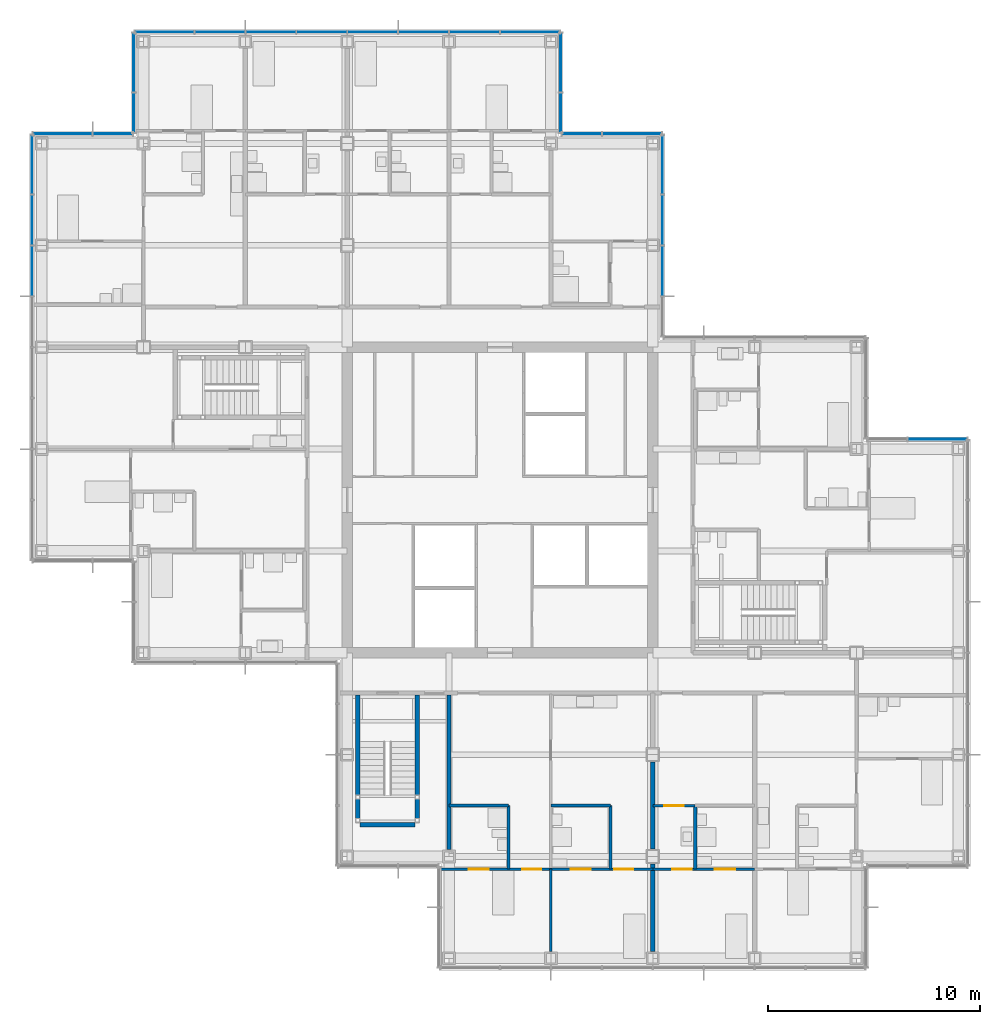
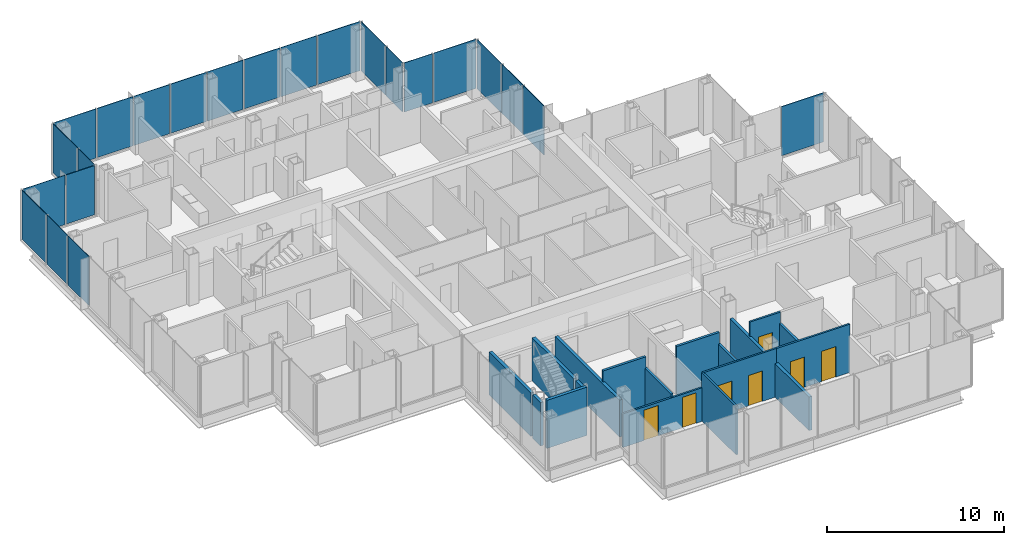
# One storey, part 12 of 20: 23 plates, 18 walls, 7 doors, 7 openings, 8 elements without a shape of their own.
"""IFC4 building model written with IfcOpenShell, lengths in metres."""

from ifc_helpers import new_model, si_unit, direction, frame, frame_2d, origin, origin_2d, place, context, subcontext, project, spatial, rectangle, extrude, material, layer, layer_set, type_object, element, fill, aggregate, save


model = new_model("IFC4")

# Units and contexts
model_context = context("Model", 3, precision=1e-05, world=origin(), true_north=direction((0.0, 1.0)))
body_context = subcontext(model_context, "Body", "Model", "MODEL_VIEW")
ifc_project = project(units=[si_unit("LENGTHUNIT", "METRE"), si_unit("AREAUNIT", "SQUARE_METRE"), si_unit("VOLUMEUNIT", "CUBIC_METRE"), si_unit("PLANEANGLEUNIT", "RADIAN"), si_unit("MASSUNIT", "GRAM", prefix="KILO")], contexts=[model_context])

# Site, building, storey
site_placement = place(None, origin())
site = spatial("IfcSite", under=ifc_project, at=site_placement, CompositionType="ELEMENT")
building_placement = place(site_placement, origin())
building = spatial("IfcBuilding", under=site, at=building_placement, Name="Kvirike Care Tower", CompositionType="ELEMENT")
storey_placement = place(building_placement, frame((0.0, 0.0, 119.0)))
storey = spatial("IfcBuildingStorey", under=building, at=storey_placement, Name="L32", CompositionType="ELEMENT", Elevation=119.0)

# Curtain wall, plate
ifc_material_1 = material(Name="Anodised aluminium stick system", Category="aluminium")
curtain_wall_type = type_object("IfcCurtainWallType", Name="CW-B STICK CURTAIN WALL", PredefinedType="NOTDEFINED", material=ifc_material_1)
curtain_wall_1_placement = place(storey_placement, origin())
curtain_wall_1 = element("IfcCurtainWall", 1, at=curtain_wall_1_placement, inside=storey, type_object=curtain_wall_type, Name="Curtain wall L32 face 2", PredefinedType="NOTDEFINED")
ifc_material_2 = material(Name="Tinted double glazed unit", Category="glass")
ifc_layer_1 = layer(ifc_material_2, 0.035888671875)
ifc_layer_set_1 = layer_set([ifc_layer_1], Name="TINTED VISION PANEL 36")
plate_type = type_object("IfcPlateType", Name="TINTED VISION PANEL 36", PredefinedType="CURTAIN_PANEL", material=ifc_layer_set_1)
plate_1_placement = place(storey_placement, frame((42.2138671875, 38.860107421875, 0.10009765625), z_axis=(0.0, 0.0, 1.0), x_axis=(-1.0, 0.0, 0.0)))
plate_1 = element("IfcPlate", 2, at=plate_1_placement, type_object=plate_type, Name="CW-B panel L32 face 2.1", PredefinedType="CURTAIN_PANEL", context=body_context, shape_type="SweptSolid", body=[
    extrude(rectangle(XDim=2.762451171875, YDim=0.035888671875, at=origin_2d()), origin(), (0.0, 0.0, 1.0), 3.39990234375),
])
aggregate(curtain_wall_1, [plate_1])

# Curtain wall, plates
curtain_wall_2_placement = place(storey_placement, origin())
curtain_wall_2 = element("IfcCurtainWall", 3, at=curtain_wall_2_placement, inside=storey, type_object=curtain_wall_type, Name="Curtain wall L32 face 5", PredefinedType="NOTDEFINED")
plate_2_placement = place(storey_placement, frame((29.260009765625, 46.800048828125, 0.10009765625), z_axis=(0.0, 0.0, 1.0), x_axis=(0.0, 1.0, 0.0)))
plate_2 = element("IfcPlate", 4, at=plate_2_placement, type_object=plate_type, Name="CW-B panel L32 face 5.2", PredefinedType="CURTAIN_PANEL", context=body_context, shape_type="SweptSolid", body=[
    extrude(rectangle(XDim=2.3349609375, YDim=0.035888671875, at=origin_2d()), origin(), (0.0, 0.0, 1.0), 3.39990234375),
])
plate_3_placement = place(storey_placement, frame((29.260009765625, 49.199951171875, 0.10009765625), z_axis=(0.0, 0.0, 1.0), x_axis=(0.0, 1.0, 0.0)))
plate_3 = element("IfcPlate", 5, at=plate_3_placement, type_object=plate_type, Name="CW-B panel L32 face 5.3", PredefinedType="CURTAIN_PANEL", context=body_context, shape_type="SweptSolid", body=[
    extrude(rectangle(XDim=2.3349609375, YDim=0.035888671875, at=origin_2d()), origin(), (0.0, 0.0, 1.0), 3.39990234375),
])
plate_4_placement = place(storey_placement, frame((29.260009765625, 51.813720703125, 0.10009765625), z_axis=(0.0, 0.0, 1.0), x_axis=(0.0, 1.0, 0.0)))
plate_4 = element("IfcPlate", 6, at=plate_4_placement, type_object=plate_type, Name="CW-B panel L32 face 5.4", PredefinedType="CURTAIN_PANEL", context=body_context, shape_type="SweptSolid", body=[
    extrude(rectangle(XDim=2.762451171875, YDim=0.035888671875, at=origin_2d()), origin(), (0.0, 0.0, 1.0), 3.39990234375),
])
aggregate(curtain_wall_2, [plate_2, plate_3, plate_4])

curtain_wall_3_placement = place(storey_placement, origin())
curtain_wall_3 = element("IfcCurtainWall", 7, at=curtain_wall_3_placement, inside=storey, type_object=curtain_wall_type, Name="Curtain wall L32 face 6", PredefinedType="NOTDEFINED")
plate_5_placement = place(storey_placement, frame((27.813720703125, 53.260009765625, 0.10009765625), z_axis=(0.0, 0.0, 1.0), x_axis=(-1.0, 0.0, 0.0)))
plate_5 = element("IfcPlate", 8, at=plate_5_placement, type_object=plate_type, Name="CW-B panel L32 face 6.1", PredefinedType="CURTAIN_PANEL", context=body_context, shape_type="SweptSolid", body=[
    extrude(rectangle(XDim=2.762451171875, YDim=0.035888671875, at=origin_2d()), origin(), (0.0, 0.0, 1.0), 3.39990234375),
])
plate_6_placement = place(storey_placement, frame((25.4462890625, 53.260009765625, 0.10009765625), z_axis=(0.0, 0.0, 1.0), x_axis=(-1.0, 0.0, 0.0)))
plate_6 = element("IfcPlate", 9, at=plate_6_placement, type_object=plate_type, Name="CW-B panel L32 face 6.2", PredefinedType="CURTAIN_PANEL", context=body_context, shape_type="SweptSolid", body=[
    extrude(rectangle(XDim=1.842529296875, YDim=0.035888671875, at=origin_2d()), origin(), (0.0, 0.0, 1.0), 3.39990234375),
])
aggregate(curtain_wall_3, [plate_5, plate_6])

curtain_wall_4_placement = place(storey_placement, origin())
curtain_wall_4 = element("IfcCurtainWall", 10, at=curtain_wall_4_placement, inside=storey, type_object=curtain_wall_type, Name="Curtain wall L32 face 7", PredefinedType="NOTDEFINED")
plate_7_placement = place(storey_placement, frame((24.4599609375, 54.246337890625, 0.10009765625), z_axis=(0.0, 0.0, 1.0), x_axis=(0.0, 1.0, 0.0)))
plate_7 = element("IfcPlate", 11, at=plate_7_placement, type_object=plate_type, Name="CW-B panel L32 face 7.1", PredefinedType="CURTAIN_PANEL", context=body_context, shape_type="SweptSolid", body=[
    extrude(rectangle(XDim=1.842529296875, YDim=0.035888671875, at=origin_2d()), origin(), (0.0, 0.0, 1.0), 3.39990234375),
])
plate_8_placement = place(storey_placement, frame((24.4599609375, 56.61376953125, 0.10009765625), z_axis=(0.0, 0.0, 1.0), x_axis=(0.0, 1.0, 0.0)))
plate_8 = element("IfcPlate", 12, at=plate_8_placement, type_object=plate_type, Name="CW-B panel L32 face 7.2", PredefinedType="CURTAIN_PANEL", context=body_context, shape_type="SweptSolid", body=[
    extrude(rectangle(XDim=2.762451171875, YDim=0.035888671875, at=origin_2d()), origin(), (0.0, 0.0, 1.0), 3.39990234375),
])
aggregate(curtain_wall_4, [plate_7, plate_8])

curtain_wall_5_placement = place(storey_placement, origin())
curtain_wall_5 = element("IfcCurtainWall", 13, at=curtain_wall_5_placement, inside=storey, type_object=curtain_wall_type, Name="Curtain wall L32 face 8", PredefinedType="NOTDEFINED")
plate_9_placement = place(storey_placement, frame((23.013671875, 58.06005859375, 0.10009765625), z_axis=(0.0, 0.0, 1.0), x_axis=(-1.0, 0.0, 0.0)))
plate_9 = element("IfcPlate", 14, at=plate_9_placement, type_object=plate_type, Name="CW-B panel L32 face 8.1", PredefinedType="CURTAIN_PANEL", context=body_context, shape_type="SweptSolid", body=[
    extrude(rectangle(XDim=2.762451171875, YDim=0.035888671875, at=origin_2d()), origin(), (0.0, 0.0, 1.0), 3.39990234375),
])
plate_10_placement = place(storey_placement, frame((20.39990234375, 58.06005859375, 0.10009765625), z_axis=(0.0, 0.0, 1.0), x_axis=(-1.0, 0.0, 0.0)))
plate_10 = element("IfcPlate", 15, at=plate_10_placement, type_object=plate_type, Name="CW-B panel L32 face 8.2", PredefinedType="CURTAIN_PANEL", context=body_context, shape_type="SweptSolid", body=[
    extrude(rectangle(XDim=2.3349609375, YDim=0.035888671875, at=origin_2d()), origin(), (0.0, 0.0, 1.0), 3.39990234375),
])
plate_11_placement = place(storey_placement, frame((18.0, 58.06005859375, 0.10009765625), z_axis=(0.0, 0.0, 1.0), x_axis=(-1.0, 0.0, 0.0)))
plate_11 = element("IfcPlate", 16, at=plate_11_placement, type_object=plate_type, Name="CW-B panel L32 face 8.3", PredefinedType="CURTAIN_PANEL", context=body_context, shape_type="SweptSolid", body=[
    extrude(rectangle(XDim=2.3349609375, YDim=0.035888671875, at=origin_2d()), origin(), (0.0, 0.0, 1.0), 3.39990234375),
])
plate_12_placement = place(storey_placement, frame((15.60009765625, 58.06005859375, 0.10009765625), z_axis=(0.0, 0.0, 1.0), x_axis=(-1.0, 0.0, 0.0)))
plate_12 = element("IfcPlate", 17, at=plate_12_placement, type_object=plate_type, Name="CW-B panel L32 face 8.4", PredefinedType="CURTAIN_PANEL", context=body_context, shape_type="SweptSolid", body=[
    extrude(rectangle(XDim=2.3349609375, YDim=0.035888671875, at=origin_2d()), origin(), (0.0, 0.0, 1.0), 3.39990234375),
])
plate_13_placement = place(storey_placement, frame((13.199951171875, 58.06005859375, 0.10009765625), z_axis=(0.0, 0.0, 1.0), x_axis=(-1.0, 0.0, 0.0)))
plate_13 = element("IfcPlate", 18, at=plate_13_placement, type_object=plate_type, Name="CW-B panel L32 face 8.5", PredefinedType="CURTAIN_PANEL", context=body_context, shape_type="SweptSolid", body=[
    extrude(rectangle(XDim=2.3349609375, YDim=0.035888671875, at=origin_2d()), origin(), (0.0, 0.0, 1.0), 3.39990234375),
])
plate_14_placement = place(storey_placement, frame((10.800048828125, 58.06005859375, 0.10009765625), z_axis=(0.0, 0.0, 1.0), x_axis=(-1.0, 0.0, 0.0)))
plate_14 = element("IfcPlate", 19, at=plate_14_placement, type_object=plate_type, Name="CW-B panel L32 face 8.6", PredefinedType="CURTAIN_PANEL", context=body_context, shape_type="SweptSolid", body=[
    extrude(rectangle(XDim=2.3349609375, YDim=0.035888671875, at=origin_2d()), origin(), (0.0, 0.0, 1.0), 3.39990234375),
])
plate_15_placement = place(storey_placement, frame((8.39990234375, 58.06005859375, 0.10009765625), z_axis=(0.0, 0.0, 1.0), x_axis=(-1.0, 0.0, 0.0)))
plate_15 = element("IfcPlate", 20, at=plate_15_placement, type_object=plate_type, Name="CW-B panel L32 face 8.7", PredefinedType="CURTAIN_PANEL", context=body_context, shape_type="SweptSolid", body=[
    extrude(rectangle(XDim=2.3349609375, YDim=0.035888671875, at=origin_2d()), origin(), (0.0, 0.0, 1.0), 3.39990234375),
])
plate_16_placement = place(storey_placement, frame((5.7861328125, 58.06005859375, 0.10009765625), z_axis=(0.0, 0.0, 1.0), x_axis=(-1.0, 0.0, 0.0)))
plate_16 = element("IfcPlate", 21, at=plate_16_placement, type_object=plate_type, Name="CW-B panel L32 face 8.8", PredefinedType="CURTAIN_PANEL", context=body_context, shape_type="SweptSolid", body=[
    extrude(rectangle(XDim=2.762451171875, YDim=0.035888671875, at=origin_2d()), origin(), (0.0, 0.0, 1.0), 3.39990234375),
])
aggregate(curtain_wall_5, [plate_9, plate_10, plate_11, plate_12, plate_13, plate_14, plate_15, plate_16])

curtain_wall_6_placement = place(storey_placement, origin())
curtain_wall_6 = element("IfcCurtainWall", 22, at=curtain_wall_6_placement, inside=storey, type_object=curtain_wall_type, Name="Curtain wall L32 face 9", PredefinedType="NOTDEFINED")
plate_17_placement = place(storey_placement, frame((4.340087890625, 56.61376953125, 0.10009765625), z_axis=(0.0, 0.0, 1.0), x_axis=(0.0, -1.0, 0.0)))
plate_17 = element("IfcPlate", 23, at=plate_17_placement, type_object=plate_type, Name="CW-B panel L32 face 9.1", PredefinedType="CURTAIN_PANEL", context=body_context, shape_type="SweptSolid", body=[
    extrude(rectangle(XDim=2.762451171875, YDim=0.035888671875, at=origin_2d()), origin(), (0.0, 0.0, 1.0), 3.39990234375),
])
plate_18_placement = place(storey_placement, frame((4.340087890625, 54.246337890625, 0.10009765625), z_axis=(0.0, 0.0, 1.0), x_axis=(0.0, -1.0, 0.0)))
plate_18 = element("IfcPlate", 24, at=plate_18_placement, type_object=plate_type, Name="CW-B panel L32 face 9.2", PredefinedType="CURTAIN_PANEL", context=body_context, shape_type="SweptSolid", body=[
    extrude(rectangle(XDim=1.842529296875, YDim=0.035888671875, at=origin_2d()), origin(), (0.0, 0.0, 1.0), 3.39990234375),
])
aggregate(curtain_wall_6, [plate_17, plate_18])

curtain_wall_7_placement = place(storey_placement, origin())
curtain_wall_7 = element("IfcCurtainWall", 25, at=curtain_wall_7_placement, inside=storey, type_object=curtain_wall_type, Name="Curtain wall L32 face 10", PredefinedType="NOTDEFINED")
plate_19_placement = place(storey_placement, frame((3.353759765625, 53.260009765625, 0.10009765625), z_axis=(0.0, 0.0, 1.0), x_axis=(-1.0, 0.0, 0.0)))
plate_19 = element("IfcPlate", 26, at=plate_19_placement, type_object=plate_type, Name="CW-B panel L32 face 10.1", PredefinedType="CURTAIN_PANEL", context=body_context, shape_type="SweptSolid", body=[
    extrude(rectangle(XDim=1.842529296875, YDim=0.035888671875, at=origin_2d()), origin(), (0.0, 0.0, 1.0), 3.39990234375),
])
plate_20_placement = place(storey_placement, frame((0.986328125, 53.260009765625, 0.10009765625), z_axis=(0.0, 0.0, 1.0), x_axis=(-1.0, 0.0, 0.0)))
plate_20 = element("IfcPlate", 27, at=plate_20_placement, type_object=plate_type, Name="CW-B panel L32 face 10.2", PredefinedType="CURTAIN_PANEL", context=body_context, shape_type="SweptSolid", body=[
    extrude(rectangle(XDim=2.762451171875, YDim=0.035888671875, at=origin_2d()), origin(), (0.0, 0.0, 1.0), 3.39990234375),
])
aggregate(curtain_wall_7, [plate_19, plate_20])

curtain_wall_8_placement = place(storey_placement, origin())
curtain_wall_8 = element("IfcCurtainWall", 28, at=curtain_wall_8_placement, inside=storey, type_object=curtain_wall_type, Name="Curtain wall L32 face 11", PredefinedType="NOTDEFINED")
plate_21_placement = place(storey_placement, frame((-0.4599609375, 51.813720703125, 0.10009765625), z_axis=(0.0, 0.0, 1.0), x_axis=(0.0, -1.0, 0.0)))
plate_21 = element("IfcPlate", 29, at=plate_21_placement, type_object=plate_type, Name="CW-B panel L32 face 11.1", PredefinedType="CURTAIN_PANEL", context=body_context, shape_type="SweptSolid", body=[
    extrude(rectangle(XDim=2.762451171875, YDim=0.035888671875, at=origin_2d()), origin(), (0.0, 0.0, 1.0), 3.39990234375),
])
plate_22_placement = place(storey_placement, frame((-0.4599609375, 49.199951171875, 0.10009765625), z_axis=(0.0, 0.0, 1.0), x_axis=(0.0, -1.0, 0.0)))
plate_22 = element("IfcPlate", 30, at=plate_22_placement, type_object=plate_type, Name="CW-B panel L32 face 11.2", PredefinedType="CURTAIN_PANEL", context=body_context, shape_type="SweptSolid", body=[
    extrude(rectangle(XDim=2.3349609375, YDim=0.035888671875, at=origin_2d()), origin(), (0.0, 0.0, 1.0), 3.39990234375),
])
plate_23_placement = place(storey_placement, frame((-0.4599609375, 46.800048828125, 0.10009765625), z_axis=(0.0, 0.0, 1.0), x_axis=(0.0, -1.0, 0.0)))
plate_23 = element("IfcPlate", 31, at=plate_23_placement, type_object=plate_type, Name="CW-B panel L32 face 11.3", PredefinedType="CURTAIN_PANEL", context=body_context, shape_type="SweptSolid", body=[
    extrude(rectangle(XDim=2.3349609375, YDim=0.035888671875, at=origin_2d()), origin(), (0.0, 0.0, 1.0), 3.39990234375),
])
aggregate(curtain_wall_8, [plate_21, plate_22, plate_23])

# Walls
ifc_material_3 = material(Name="Moisture-resistant board partition", Category="gypsum")
ifc_layer_2 = layer(ifc_material_3, 0.14990234375)
ifc_layer_set_2 = layer_set([ifc_layer_2], Name="BATHROOM WALL 150")
wall_type_1 = type_object("IfcWallType", Name="BATHROOM WALL 150", PredefinedType="PARTITIONING", material=ifc_layer_set_2)
wall_1_placement = place(storey_placement, frame((22.0, 18.60009765625, 0.0), z_axis=(0.0, 0.0, 1.0), x_axis=(0.0, 1.0, 0.0)))
element("IfcWall", 32, at=wall_1_placement, inside=storey, type_object=wall_type_1, Name="Bathroom Wall 150 L32", PredefinedType="PARTITIONING", context=body_context, shape_type="SweptSolid", body=[
    extrude(rectangle(XDim=3.0, YDim=0.14990234375, at=frame_2d((1.5, 0.0))), origin(), (0.0, 0.0, 1.0), 2.550048828125),
])
wall_2_placement = place(storey_placement, frame((19.199951171875, 21.60009765625, 0.0), z_axis=(0.0, 0.0, 1.0), x_axis=(1.0, 0.0, 0.0)))
element("IfcWall", 33, at=wall_2_placement, inside=storey, type_object=wall_type_1, Name="Bathroom Wall 150 L32", PredefinedType="PARTITIONING", context=body_context, shape_type="SweptSolid", body=[
    extrude(rectangle(XDim=2.800048828125, YDim=0.14990234375, at=frame_2d((1.39990234375, 0.0))), origin(), (0.0, 0.0, 1.0), 3.330078125),
])
wall_3_placement = place(storey_placement, frame((26.800048828125, 18.60009765625, 0.0), z_axis=(0.0, 0.0, 1.0), x_axis=(0.0, 1.0, 0.0)))
element("IfcWall", 34, at=wall_3_placement, inside=storey, type_object=wall_type_1, Name="Bathroom Wall 150 L32", PredefinedType="PARTITIONING", context=body_context, shape_type="SweptSolid", body=[
    extrude(rectangle(XDim=3.0, YDim=0.14990234375, at=frame_2d((1.5, 0.0))), origin(), (0.0, 0.0, 1.0), 2.550048828125),
])
wall_4_placement = place(storey_placement, frame((24.0, 21.60009765625, 0.0), z_axis=(0.0, 0.0, 1.0), x_axis=(1.0, 0.0, 0.0)))
element("IfcWall", 35, at=wall_4_placement, inside=storey, type_object=wall_type_1, Name="Bathroom Wall 150 L32", PredefinedType="PARTITIONING", context=body_context, shape_type="SweptSolid", body=[
    extrude(rectangle(XDim=2.800048828125, YDim=0.14990234375, at=frame_2d((1.39990234375, 0.0))), origin(), (0.0, 0.0, 1.0), 3.330078125),
])
wall_5_placement = place(storey_placement, frame((30.800048828125, 18.60009765625, 0.0), z_axis=(0.0, 0.0, 1.0), x_axis=(0.0, 1.0, 0.0)))
element("IfcWall", 36, at=wall_5_placement, inside=storey, type_object=wall_type_1, Name="Bathroom Wall 150 L32", PredefinedType="PARTITIONING", context=body_context, shape_type="SweptSolid", body=[
    extrude(rectangle(XDim=3.0, YDim=0.14990234375, at=frame_2d((1.5, 0.0))), origin(), (0.0, 0.0, 1.0), 2.550048828125),
])

# Wall, openings, doors
ifc_material_4 = material(Name="Plasterboard partition", Category="gypsum")
ifc_layer_3 = layer(ifc_material_4, 0.1201171875)
ifc_layer_set_3 = layer_set([ifc_layer_3], Name="PARTITION 120")
wall_type_2 = type_object("IfcWallType", Name="PARTITION 120", PredefinedType="PARTITIONING", material=ifc_layer_set_3)
wall_6_placement = place(storey_placement, frame((18.760009765625, 18.60009765625, 0.0), z_axis=(0.0, 0.0, 1.0), x_axis=(1.0, 0.0, 0.0)))
wall_6 = element("IfcWall", 37, at=wall_6_placement, inside=storey, type_object=wall_type_2, Name="Partition 120 L32", PredefinedType="PARTITIONING", context=body_context, shape_type="SweptSolid", body=[
    extrude(rectangle(XDim=5.239990234375, YDim=0.1201171875, at=frame_2d((2.6201171875, 0.0))), origin(), (0.0, 0.0, 1.0), 2.320068359375),
])
opening_1_placement = place(wall_6_placement, frame((3.889892578125, 0.0, 0.0)))
opening_1 = element("IfcOpeningElement", 38, at=opening_1_placement, cuts=wall_6, Name="Opening 32-020", PredefinedType="OPENING", context=body_context, shape_type="SweptSolid", body=[
    extrude(rectangle(XDim=0.89990234375, YDim=2.10009765625, at=frame_2d((0.449951171875, 1.050048828125))), frame((0.0, 0.070556640625, 0.0), z_axis=(0.0, -1.0, 0.0), x_axis=(1.0, 0.0, 0.0)), (0.0, 0.0, 1.0), 0.14111328125),
])
opening_2_placement = place(wall_6_placement, frame((1.364990234375, 0.0, 0.0)))
opening_2 = element("IfcOpeningElement", 39, at=opening_2_placement, cuts=wall_6, Name="Opening 32-021", PredefinedType="OPENING", context=body_context, shape_type="SweptSolid", body=[
    extrude(rectangle(XDim=0.949951171875, YDim=2.10009765625, at=frame_2d((0.47509765625, 1.050048828125))), frame((0.0, 0.070556640625, 0.0), z_axis=(0.0, -1.0, 0.0), x_axis=(1.0, 0.0, 0.0)), (0.0, 0.0, 1.0), 0.14111328125),
])
ifc_material_5 = material(Name="Timber door set", Category="wood")
door_type_1 = type_object("IfcDoorType", Name="EN-SUITE SLIDING DOOR 950", OperationType="SLIDING_TO_LEFT", PredefinedType="DOOR", material=ifc_material_5)
door_1_placement = place(opening_2_placement, origin())
door_1 = element("IfcDoor", 40, at=door_1_placement, inside=storey, type_object=door_type_1, Name="En-suite door", OperationType="SLIDING_TO_RIGHT", OverallHeight=2.10009765625, OverallWidth=0.949951171875, PredefinedType="DOOR", context=body_context, shape_type="SweptSolid", body=[
    extrude(rectangle(XDim=0.949951171875, YDim=2.10009765625, at=frame_2d((0.47509765625, 1.050048828125))), frame((0.0, 0.02197265625, 0.0), z_axis=(0.0, -1.0, 0.0), x_axis=(1.0, 0.0, 0.0)), (0.0, 0.0, 1.0), 0.0439453125),
])
fill(opening_2, door_1)
ifc_material_6 = material(Name="Timber door set", Category="wood")
door_type_2 = type_object("IfcDoorType", Name="INTERNAL DOOR 900", OperationType="SINGLE_SWING_LEFT", PredefinedType="DOOR", material=ifc_material_6)
door_2_placement = place(opening_1_placement, frame((0.89990234375, 0.0, 0.0), z_axis=(0.0, 0.0, 1.0), x_axis=(-1.0, 0.0, 0.0)))
door_2 = element("IfcDoor", 41, at=door_2_placement, inside=storey, type_object=door_type_2, Name="Assisted living suite door", OperationType="SINGLE_SWING_LEFT", OverallHeight=2.10009765625, OverallWidth=0.89990234375, PredefinedType="DOOR", context=body_context, shape_type="SweptSolid", body=[
    extrude(rectangle(XDim=0.89990234375, YDim=2.10009765625, at=frame_2d((0.449951171875, 1.050048828125))), frame((0.0, 0.02197265625, 0.0), z_axis=(0.0, -1.0, 0.0), x_axis=(1.0, 0.0, 0.0)), (0.0, 0.0, 1.0), 0.0439453125),
])
fill(opening_1, door_2)

wall_7_placement = place(storey_placement, frame((24.0, 18.60009765625, 0.0), z_axis=(0.0, 0.0, 1.0), x_axis=(1.0, 0.0, 0.0)))
wall_7 = element("IfcWall", 42, at=wall_7_placement, inside=storey, type_object=wall_type_2, Name="Partition 120 L32", PredefinedType="PARTITIONING", context=body_context, shape_type="SweptSolid", body=[
    extrude(rectangle(XDim=4.800048828125, YDim=0.1201171875, at=frame_2d((2.39990234375, 0.0))), origin(), (0.0, 0.0, 1.0), 3.330078125),
])
opening_3_placement = place(wall_7_placement, frame((2.97509765625, 0.0, 0.0)))
opening_3 = element("IfcOpeningElement", 43, at=opening_3_placement, cuts=wall_7, Name="Opening 32-022", PredefinedType="OPENING", context=body_context, shape_type="SweptSolid", body=[
    extrude(rectangle(XDim=0.89990234375, YDim=2.10009765625, at=frame_2d((0.449951171875, 1.050048828125))), frame((0.0, 0.070556640625, 0.0), z_axis=(0.0, -1.0, 0.0), x_axis=(1.0, 0.0, 0.0)), (0.0, 0.0, 1.0), 0.14111328125),
])
opening_4_placement = place(wall_7_placement, frame((0.925048828125, 0.0, 0.0)))
opening_4 = element("IfcOpeningElement", 44, at=opening_4_placement, cuts=wall_7, Name="Opening 32-023", PredefinedType="OPENING", context=body_context, shape_type="SweptSolid", body=[
    extrude(rectangle(XDim=0.949951171875, YDim=2.10009765625, at=frame_2d((0.47509765625, 1.050048828125))), frame((0.0, 0.070556640625, 0.0), z_axis=(0.0, -1.0, 0.0), x_axis=(1.0, 0.0, 0.0)), (0.0, 0.0, 1.0), 0.14111328125),
])
door_3_placement = place(opening_4_placement, origin())
door_3 = element("IfcDoor", 45, at=door_3_placement, inside=storey, type_object=door_type_1, Name="En-suite door", OperationType="SLIDING_TO_LEFT", OverallHeight=2.10009765625, OverallWidth=0.949951171875, PredefinedType="DOOR", context=body_context, shape_type="SweptSolid", body=[
    extrude(rectangle(XDim=0.949951171875, YDim=2.10009765625, at=frame_2d((0.47509765625, 1.050048828125))), frame((0.0, 0.02197265625, 0.0), z_axis=(0.0, -1.0, 0.0), x_axis=(1.0, 0.0, 0.0)), (0.0, 0.0, 1.0), 0.0439453125),
])
fill(opening_4, door_3)
door_4_placement = place(opening_3_placement, frame((0.89990234375, 0.0, 0.0), z_axis=(0.0, 0.0, 1.0), x_axis=(-1.0, 0.0, 0.0)))
door_4 = element("IfcDoor", 46, at=door_4_placement, inside=storey, type_object=door_type_2, Name="Assisted living suite door", OperationType="SINGLE_SWING_RIGHT", OverallHeight=2.10009765625, OverallWidth=0.89990234375, PredefinedType="DOOR", context=body_context, shape_type="SweptSolid", body=[
    extrude(rectangle(XDim=0.89990234375, YDim=2.10009765625, at=frame_2d((0.449951171875, 1.050048828125))), frame((0.0, 0.02197265625, 0.0), z_axis=(0.0, -1.0, 0.0), x_axis=(1.0, 0.0, 0.0)), (0.0, 0.0, 1.0), 0.0439453125),
])
fill(opening_3, door_4)

# Wall
wall_8_placement = place(storey_placement, frame((24.0, 14.719970703125, 0.0), z_axis=(0.0, 0.0, 1.0), x_axis=(0.0, 1.0, 0.0)))
element("IfcWall", 47, at=wall_8_placement, inside=storey, type_object=wall_type_2, Name="Partition 120 L32", PredefinedType="PARTITIONING", context=body_context, shape_type="SweptSolid", body=[
    extrude(rectangle(XDim=3.880126953125, YDim=0.1201171875, at=frame_2d((1.93994140625, 0.0))), origin(), (0.0, 0.0, 1.0), 3.330078125),
])

# Wall, opening, door
wall_9_placement = place(storey_placement, frame((28.800048828125, 21.60009765625, 0.0), z_axis=(0.0, 0.0, 1.0), x_axis=(1.0, 0.0, 0.0)))
wall_9 = element("IfcWall", 48, at=wall_9_placement, inside=storey, type_object=wall_type_2, Name="Partition 120 L32", PredefinedType="PARTITIONING", context=body_context, shape_type="SweptSolid", body=[
    extrude(rectangle(XDim=2.0, YDim=0.1201171875, at=frame_2d((1.0, 0.0))), origin(), (0.0, 0.0, 1.0), 3.330078125),
])
opening_5_placement = place(wall_9_placement, frame((0.550048828125, 0.0, 0.0)))
opening_5 = element("IfcOpeningElement", 49, at=opening_5_placement, cuts=wall_9, Name="Opening 32-038", PredefinedType="OPENING", context=body_context, shape_type="SweptSolid", body=[
    extrude(rectangle(XDim=0.89990234375, YDim=2.10009765625, at=frame_2d((0.449951171875, 1.050048828125))), frame((0.0, 0.070556640625, 0.0), z_axis=(0.0, -1.0, 0.0), x_axis=(1.0, 0.0, 0.0)), (0.0, 0.0, 1.0), 0.14111328125),
])
door_5_placement = place(opening_5_placement, frame((0.89990234375, 0.0, 0.0), z_axis=(0.0, 0.0, 1.0), x_axis=(-1.0, 0.0, 0.0)))
door_5 = element("IfcDoor", 50, at=door_5_placement, inside=storey, type_object=door_type_2, Name="Kitchen door", OperationType="SINGLE_SWING_LEFT", OverallHeight=2.10009765625, OverallWidth=0.89990234375, PredefinedType="DOOR", context=body_context, shape_type="SweptSolid", body=[
    extrude(rectangle(XDim=0.89990234375, YDim=2.10009765625, at=frame_2d((0.449951171875, 1.050048828125))), frame((0.0, 0.02197265625, 0.0), z_axis=(0.0, -1.0, 0.0), x_axis=(1.0, 0.0, 0.0)), (0.0, 0.0, 1.0), 0.0439453125),
])
fill(opening_5, door_5)

# Wall, openings, doors
wall_10_placement = place(storey_placement, frame((28.800048828125, 18.60009765625, 0.0), z_axis=(0.0, 0.0, 1.0), x_axis=(1.0, 0.0, 0.0)))
wall_10 = element("IfcWall", 51, at=wall_10_placement, inside=storey, type_object=wall_type_2, Name="Partition 120 L32", PredefinedType="PARTITIONING", context=body_context, shape_type="SweptSolid", body=[
    extrude(rectangle(XDim=4.800048828125, YDim=0.1201171875, at=frame_2d((2.39990234375, 0.0))), origin(), (0.0, 0.0, 1.0), 3.330078125),
])
opening_6_placement = place(wall_10_placement, frame((0.925048828125, 0.0, 0.0)))
opening_6 = element("IfcOpeningElement", 52, at=opening_6_placement, cuts=wall_10, Name="Opening 32-039", PredefinedType="OPENING", context=body_context, shape_type="SweptSolid", body=[
    extrude(rectangle(XDim=0.89990234375, YDim=2.10009765625, at=frame_2d((0.449951171875, 1.050048828125))), frame((0.0, 0.070556640625, 0.0), z_axis=(0.0, -1.0, 0.0), x_axis=(1.0, 0.0, 0.0)), (0.0, 0.0, 1.0), 0.14111328125),
])
opening_7_placement = place(wall_10_placement, frame((2.925048828125, 0.0, 0.0)))
opening_7 = element("IfcOpeningElement", 53, at=opening_7_placement, cuts=wall_10, Name="Opening 32-040", PredefinedType="OPENING", context=body_context, shape_type="SweptSolid", body=[
    extrude(rectangle(XDim=0.949951171875, YDim=2.10009765625, at=frame_2d((0.47509765625, 1.050048828125))), frame((0.0, 0.070556640625, 0.0), z_axis=(0.0, -1.0, 0.0), x_axis=(1.0, 0.0, 0.0)), (0.0, 0.0, 1.0), 0.14111328125),
])
door_6_placement = place(opening_7_placement, origin())
door_6 = element("IfcDoor", 54, at=door_6_placement, inside=storey, type_object=door_type_1, Name="En-suite door", OperationType="SLIDING_TO_LEFT", OverallHeight=2.10009765625, OverallWidth=0.949951171875, PredefinedType="DOOR", context=body_context, shape_type="SweptSolid", body=[
    extrude(rectangle(XDim=0.949951171875, YDim=2.10009765625, at=frame_2d((0.47509765625, 1.050048828125))), frame((0.0, 0.02197265625, 0.0), z_axis=(0.0, -1.0, 0.0), x_axis=(1.0, 0.0, 0.0)), (0.0, 0.0, 1.0), 0.0439453125),
])
fill(opening_7, door_6)
door_7_placement = place(opening_6_placement, origin())
door_7 = element("IfcDoor", 55, at=door_7_placement, inside=storey, type_object=door_type_2, Name="Assisted living suite door", OperationType="SINGLE_SWING_LEFT", OverallHeight=2.10009765625, OverallWidth=0.89990234375, PredefinedType="DOOR", context=body_context, shape_type="SweptSolid", body=[
    extrude(rectangle(XDim=0.89990234375, YDim=2.10009765625, at=frame_2d((0.449951171875, 1.050048828125))), frame((0.0, 0.02197265625, 0.0), z_axis=(0.0, -1.0, 0.0), x_axis=(1.0, 0.0, 0.0)), (0.0, 0.0, 1.0), 0.0439453125),
])
fill(opening_6, door_7)

# Walls
ifc_material_7 = material(Name="Plasterboard party wall", Category="gypsum")
ifc_layer_4 = layer(ifc_material_7, 0.199951171875)
ifc_layer_set_4 = layer_set([ifc_layer_4], Name="PARTY WALL 200")
wall_type_3 = type_object("IfcWallType", Name="PARTY WALL 200", PredefinedType="PARTITIONING", material=ifc_layer_set_4)
wall_11_placement = place(storey_placement, frame((19.199951171875, 19.52001953125, 0.0), z_axis=(0.0, 0.0, 1.0), x_axis=(0.0, 1.0, 0.0)))
element("IfcWall", 56, at=wall_11_placement, inside=storey, type_object=wall_type_3, Name="Party Wall 200 L32", PredefinedType="PARTITIONING", context=body_context, shape_type="SweptSolid", body=[
    extrude(rectangle(XDim=7.280029296875, YDim=0.199951171875, at=frame_2d((3.64013671875, 0.0))), origin(), (0.0, 0.0, 1.0), 2.550048828125),
])
wall_12_placement = place(storey_placement, frame((28.800048828125, 14.719970703125, 0.0), z_axis=(0.0, 0.0, 1.0), x_axis=(0.0, 1.0, 0.0)))
element("IfcWall", 57, at=wall_12_placement, inside=storey, type_object=wall_type_3, Name="Party Wall 200 L32", PredefinedType="PARTITIONING", context=body_context, shape_type="SweptSolid", body=[
    extrude(rectangle(XDim=4.135009765625, YDim=0.199951171875, at=frame_2d((2.0673828125, 0.0))), origin(), (0.0, 0.0, 1.0), 2.320068359375),
])
wall_13_placement = place(storey_placement, frame((28.800048828125, 19.544921875, 0.0), z_axis=(0.0, 0.0, 1.0), x_axis=(0.0, 1.0, 0.0)))
element("IfcWall", 58, at=wall_13_placement, inside=storey, type_object=wall_type_3, Name="Party Wall 200 L32", PredefinedType="PARTITIONING", context=body_context, shape_type="SweptSolid", body=[
    extrude(rectangle(XDim=4.110107421875, YDim=0.199951171875, at=frame_2d((2.05517578125, 0.0))), origin(), (0.0, 0.0, 1.0), 2.320068359375),
])
ifc_material_8 = material(Name="Concrete C40/50", Category="concrete")
ifc_layer_5 = layer(ifc_material_8, 0.199951171875)
ifc_layer_set_5 = layer_set([ifc_layer_5], Name="STAIR WALL 200")
wall_type_4 = type_object("IfcWallType", Name="STAIR WALL 200", PredefinedType="SOLIDWALL", material=ifc_layer_set_5)
wall_14_placement = place(storey_placement, frame((14.89990234375, 21.0, 0.0), z_axis=(0.0, 0.0, 1.0), x_axis=(0.0, 1.0, 0.0)))
element("IfcWall", 59, at=wall_14_placement, inside=storey, type_object=wall_type_4, Name="Stair Wall 200 L32", PredefinedType="SOLIDWALL", context=body_context, shape_type="SweptSolid", body=[
    extrude(rectangle(XDim=0.89990234375, YDim=0.199951171875, at=frame_2d((0.449951171875, 0.0))), origin(), (0.0, 0.0, 1.0), 2.989990234375),
])
wall_15_placement = place(storey_placement, frame((14.89990234375, 22.10009765625, 0.0), z_axis=(0.0, 0.0, 1.0), x_axis=(0.0, 1.0, 0.0)))
element("IfcWall", 60, at=wall_15_placement, inside=storey, type_object=wall_type_4, Name="Stair Wall 200 L32", PredefinedType="SOLIDWALL", context=body_context, shape_type="SweptSolid", body=[
    extrude(rectangle(XDim=4.699951171875, YDim=0.199951171875, at=frame_2d((2.35009765625, 0.0))), origin(), (0.0, 0.0, 1.0), 2.989990234375),
])
wall_16_placement = place(storey_placement, frame((17.699951171875, 21.0, 0.0), z_axis=(0.0, 0.0, 1.0), x_axis=(0.0, 1.0, 0.0)))
element("IfcWall", 61, at=wall_16_placement, inside=storey, type_object=wall_type_4, Name="Stair Wall 200 L32", PredefinedType="SOLIDWALL", context=body_context, shape_type="SweptSolid", body=[
    extrude(rectangle(XDim=0.89990234375, YDim=0.199951171875, at=frame_2d((0.449951171875, 0.0))), origin(), (0.0, 0.0, 1.0), 2.989990234375),
])
wall_17_placement = place(storey_placement, frame((17.699951171875, 22.10009765625, 0.0), z_axis=(0.0, 0.0, 1.0), x_axis=(0.0, 1.0, 0.0)))
element("IfcWall", 62, at=wall_17_placement, inside=storey, type_object=wall_type_4, Name="Stair Wall 200 L32", PredefinedType="SOLIDWALL", context=body_context, shape_type="SweptSolid", body=[
    extrude(rectangle(XDim=4.699951171875, YDim=0.199951171875, at=frame_2d((2.35009765625, 0.0))), origin(), (0.0, 0.0, 1.0), 2.989990234375),
])
wall_18_placement = place(storey_placement, frame((15.0, 20.699951171875, 0.0), z_axis=(0.0, 0.0, 1.0), x_axis=(1.0, 0.0, 0.0)))
element("IfcWall", 63, at=wall_18_placement, inside=storey, type_object=wall_type_4, Name="Stair Wall 200 L32", PredefinedType="SOLIDWALL", context=body_context, shape_type="SweptSolid", body=[
    extrude(rectangle(XDim=2.60009765625, YDim=0.199951171875, at=frame_2d((1.300048828125, 0.0))), origin(), (0.0, 0.0, 1.0), 3.330078125),
])

save(model, "model.ifc")
